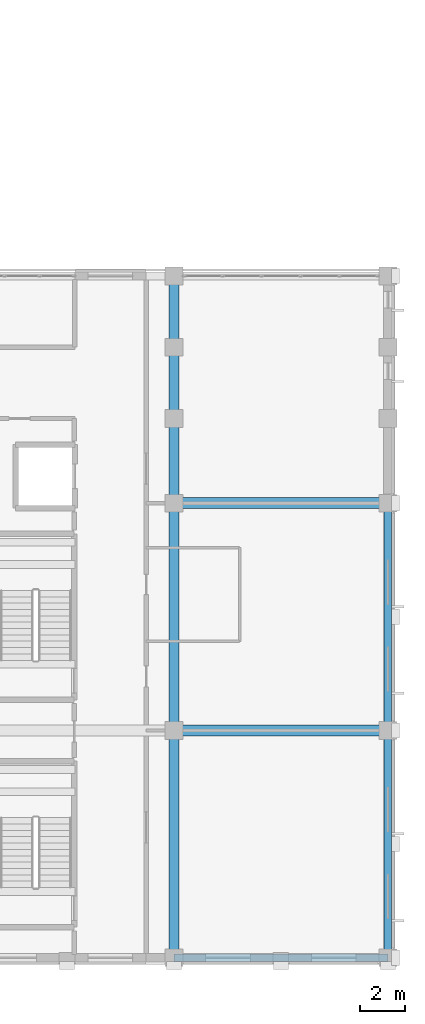
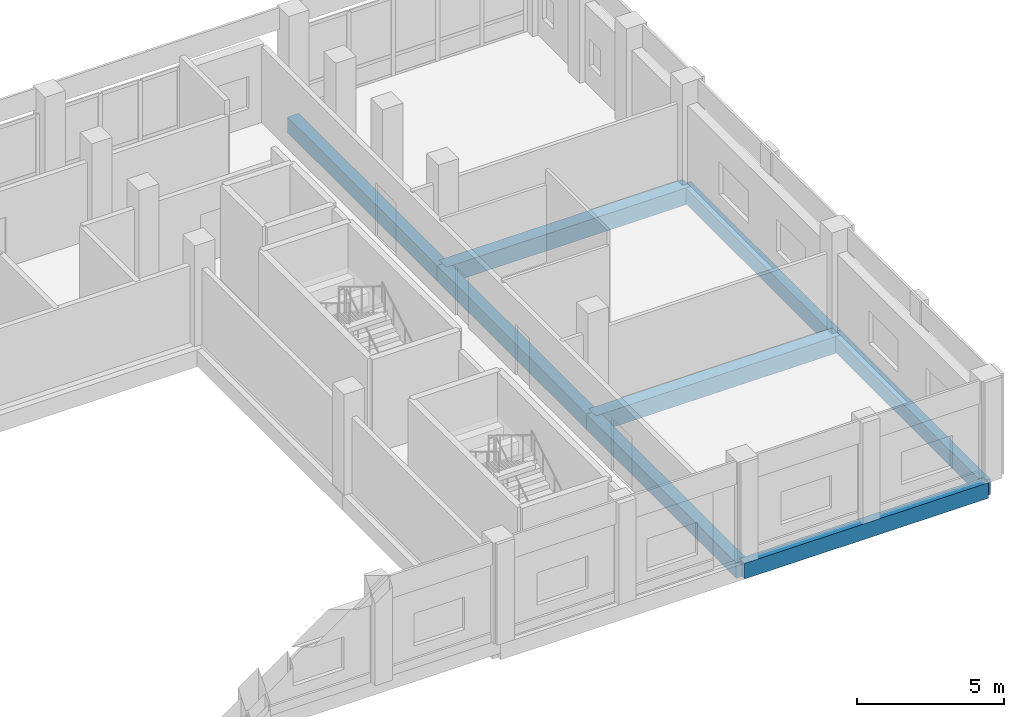
# One storey, part 91 of 170: 8 beams.
"""IFC4 building model written with IfcOpenShell, lengths in metres."""

from ifc_helpers import new_model, si_unit, direction, frame, origin, origin_2d, place, context, subcontext, project, spatial, rectangle, extrude, material, material_profile, profile_set, type_object, element, save


model = new_model("IFC4")

# Units and contexts
model_context = context("Model", 3, precision=1e-05, world=origin(), true_north=direction((0.0, 1.0)))
body_context = subcontext(model_context, "Body", "Model", "MODEL_VIEW")
ifc_project = project(units=[si_unit("LENGTHUNIT", "METRE"), si_unit("AREAUNIT", "SQUARE_METRE"), si_unit("VOLUMEUNIT", "CUBIC_METRE"), si_unit("PLANEANGLEUNIT", "RADIAN"), si_unit("MASSUNIT", "GRAM", prefix="KILO")], contexts=[model_context])

# Site, building, storey
site_placement = place(None, origin())
site = spatial("IfcSite", under=ifc_project, at=site_placement, CompositionType="ELEMENT")
building_placement = place(site_placement, origin())
building = spatial("IfcBuilding", under=site, at=building_placement, Name="Vondelvale Polytechnic", CompositionType="ELEMENT")
storey_placement = place(building_placement, frame((0.0, 0.0, 5.39990234375)))
storey = spatial("IfcBuildingStorey", under=building, at=storey_placement, Name="L01", CompositionType="ELEMENT", Elevation=5.39990234375)

# Beams
ifc_material_1 = material(Name="Concrete N40 (f'c = 40 MPa)", Category="concrete")
ifc_material_profile_1 = material_profile(ifc_material_1, rectangle(XDim=0.449951171875, YDim=0.64990234375, at=origin_2d()), Name="RC-BM-450x650")
ifc_profile_set_1 = profile_set([ifc_material_profile_1], Name="Concrete N40 (f'c = 40 MPa)")
beam_type_1 = type_object("IfcBeamType", Name="BM-RC450x650", PredefinedType="BEAM", material=ifc_profile_set_1)
for number, where, z_axis, x_axis, name in (
    (1, (163.199951171875, 0.0, -0.60498046875), (0.0, 1.0, 0.0), (-1.0, 0.0, 0.0), "L01 B B-04"),
    (2, (163.199951171875, 10.199951171875, -0.60498046875), (0.0, 1.0, 0.0), (-1.0, 0.0, 0.0), "L01 B B-04"),
):
    element("IfcBeam", number, at=place(storey_placement, frame(where, z_axis=z_axis, x_axis=x_axis)), inside=storey, type_object=beam_type_1, Name=name, PredefinedType="BEAM", context=body_context, shape_type="SweptSolid", body=[
        extrude(rectangle(XDim=0.449951171875, YDim=0.64990234375, at=origin_2d()), origin(), (0.0, 0.0, 1.0), 10.199951171875),
    ])
beam_1_placement = place(storey_placement, frame((163.199951171875, 20.39990234375, -0.60498046875), z_axis=(0.0, 1.0, 0.0), x_axis=(-1.0, 0.0, 0.0)))
element("IfcBeam", 3, at=beam_1_placement, inside=storey, type_object=beam_type_1, Name="L01 B B-04", PredefinedType="BEAM", context=body_context, shape_type="SweptSolid", body=[
    extrude(rectangle(XDim=0.449951171875, YDim=0.64990234375, at=origin_2d()), origin(), (0.0, 0.0, 1.0), 10.2001953125),
])
ifc_material_profile_2 = material_profile(ifc_material_1, rectangle(XDim=0.5, YDim=0.699951171875, at=origin_2d()), Name="RC-BM-500x700")
ifc_profile_set_2 = profile_set([ifc_material_profile_2], Name="Concrete N40 (f'c = 40 MPa)")
beam_type_2 = type_object("IfcBeamType", Name="BM-RC500x700", PredefinedType="BEAM", material=ifc_profile_set_2)
for number, where, z_axis, x_axis, name in (
    (4, (163.199951171875, 10.199951171875, -0.6298828125), (1.0, 0.0, 0.0), (0.0, 1.0, 0.0), "L01 B B-03"),
    (5, (163.199951171875, 20.39990234375, -0.6298828125), (1.0, 0.0, 0.0), (0.0, 1.0, 0.0), "L01 B B-03"),
):
    element("IfcBeam", number, at=place(storey_placement, frame(where, z_axis=z_axis, x_axis=x_axis)), inside=storey, type_object=beam_type_2, Name=name, PredefinedType="BEAM", context=body_context, shape_type="SweptSolid", body=[
        extrude(rectangle(XDim=0.5, YDim=0.699951171875, at=origin_2d()), origin(), (0.0, 0.0, 1.0), 9.60009765625),
    ])
ifc_material_2 = material(Name="Precast concrete N40 (f'c = 40 MPa)", Category="concrete")
ifc_material_profile_3 = material_profile(ifc_material_2, rectangle(XDim=0.35009765625, YDim=0.64990234375, at=origin_2d()), Name="RC-SPN-350x650")
ifc_profile_set_3 = profile_set([ifc_material_profile_3], Name="Precast concrete N40 (f'c = 40 MPa)")
beam_type_3 = type_object("IfcBeamType", Name="SPN-PRE350x650", PredefinedType="SPANDREL", material=ifc_profile_set_3)
beam_2_placement = place(storey_placement, frame((163.199951171875, 0.0, -0.60498046875), z_axis=(1.0, 0.0, 0.0), x_axis=(0.0, 1.0, 0.0)))
element("IfcBeam", 6, at=beam_2_placement, inside=storey, type_object=beam_type_3, Name="L01 B SP-02", PredefinedType="SPANDREL", context=body_context, shape_type="SweptSolid", body=[
    extrude(rectangle(XDim=0.35009765625, YDim=0.64990234375, at=origin_2d()), origin(), (0.0, 0.0, 1.0), 9.60009765625),
])
for number, where, z_axis, x_axis, name in (
    (7, (172.800048828125, 0.0, -0.60498046875), (0.0, 1.0, 0.0), (-1.0, 0.0, 0.0), "L01 B SP-02"),
    (8, (172.800048828125, 10.199951171875, -0.60498046875), (0.0, 1.0, 0.0), (-1.0, 0.0, 0.0), "L01 B SP-02"),
):
    element("IfcBeam", number, at=place(storey_placement, frame(where, z_axis=z_axis, x_axis=x_axis)), inside=storey, type_object=beam_type_3, Name=name, PredefinedType="SPANDREL", context=body_context, shape_type="SweptSolid", body=[
        extrude(rectangle(XDim=0.35009765625, YDim=0.64990234375, at=origin_2d()), origin(), (0.0, 0.0, 1.0), 10.199951171875),
    ])

save(model, "model.ifc")
